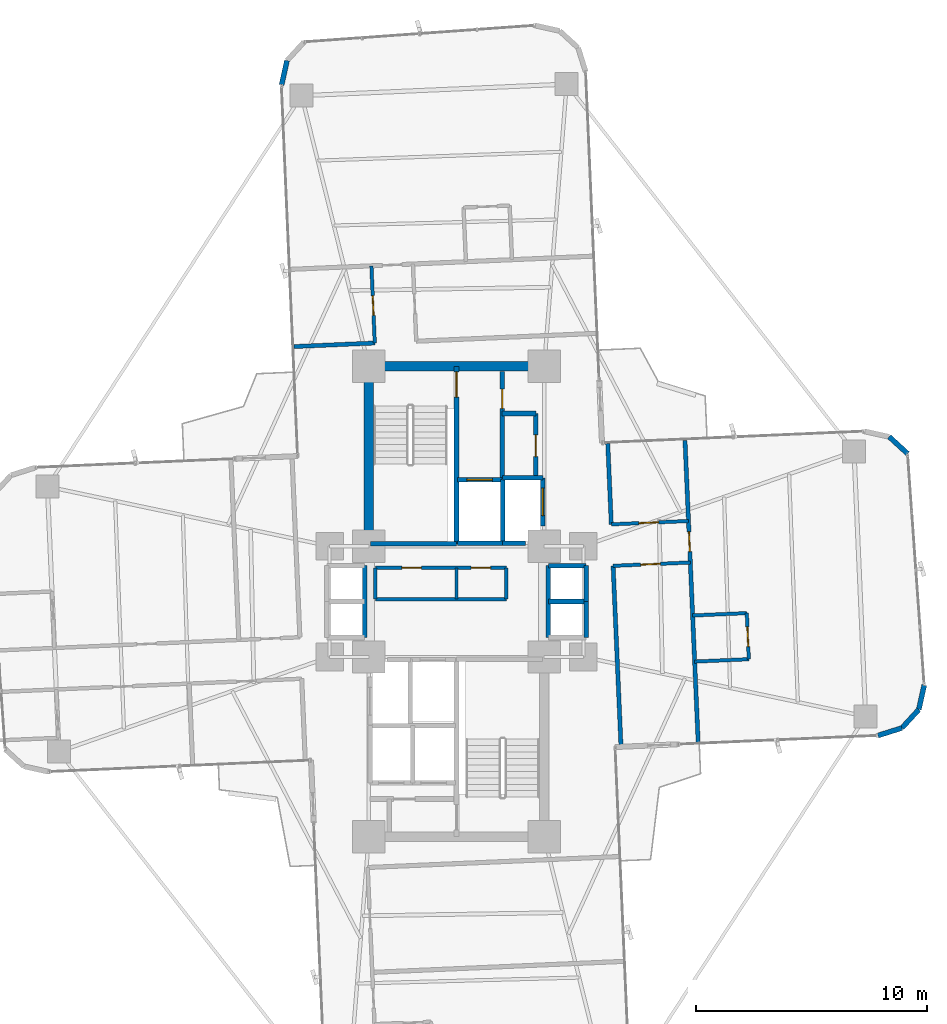
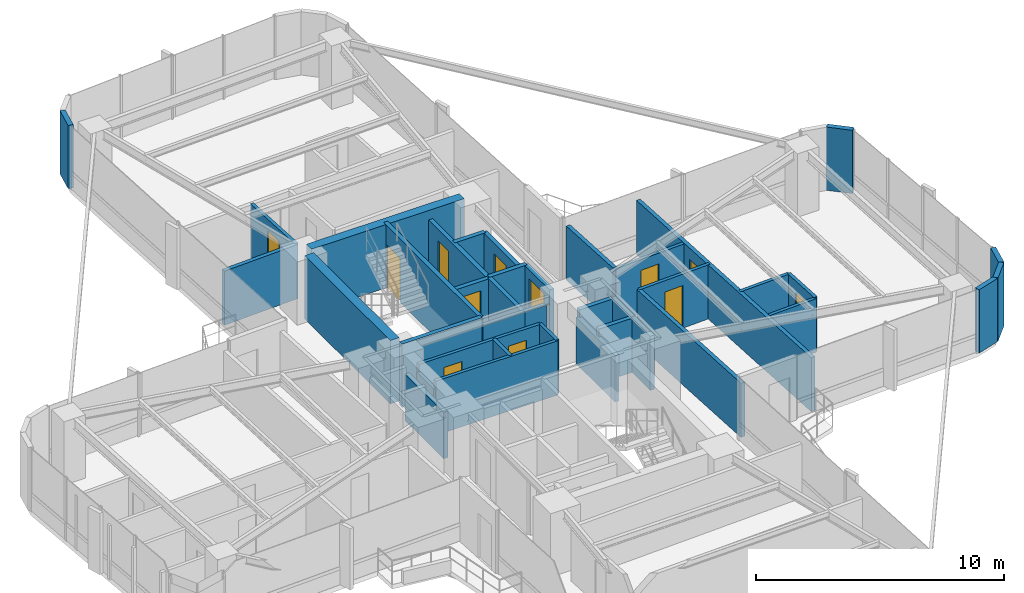
# One storey, part 24 of 26: 39 walls, 12 doors, 12 openings.
"""IFC4 building model written with IfcOpenShell, lengths in metres."""

from ifc_helpers import new_model, si_unit, direction, frame, frame_2d, origin, origin_2d, place, context, subcontext, project, spatial, rectangle, extrude, source, transform, mapped, material, layer, layer_set, type_object, element, fill, save


model = new_model("IFC4")

# Units and contexts
model_context = context("Model", 3, precision=1e-05, world=origin(), true_north=direction((0.0, 1.0)))
body_context = subcontext(model_context, "Body", "Model", "MODEL_VIEW")
ifc_project = project(units=[si_unit("LENGTHUNIT", "METRE"), si_unit("AREAUNIT", "SQUARE_METRE"), si_unit("VOLUMEUNIT", "CUBIC_METRE"), si_unit("PLANEANGLEUNIT", "RADIAN"), si_unit("MASSUNIT", "GRAM", prefix="KILO")], contexts=[model_context])

# Site, building, storey
site_placement = place(None, origin())
site = spatial("IfcSite", under=ifc_project, at=site_placement, CompositionType="ELEMENT")
building_placement = place(site_placement, origin())
building = spatial("IfcBuilding", under=site, at=building_placement, Name="Sahyath Konkavel Grand Hotel", CompositionType="ELEMENT")
storey_placement = place(building_placement, frame((0.0, 0.0, 111.449951171875)))
storey = spatial("IfcBuildingStorey", under=building, at=storey_placement, Name="L30", CompositionType="ELEMENT", Elevation=111.449951171875)

# Walls
ifc_material_1 = material(Name="Concrete C50/60", Category="concrete")
ifc_layer_1 = layer(ifc_material_1, 0.419921875)
ifc_layer_set_1 = layer_set([ifc_layer_1], Name="Concrete C50/60")
wall_type_1 = type_object("IfcWallType", Name="CWALL-420", PredefinedType="SHEAR", material=ifc_layer_set_1)
wall_1_placement = place(storey_placement, frame((-3.550048828125, 10.199951171875, 0.0), z_axis=(0.0, 0.0, 1.0), x_axis=(1.0, 0.0, 0.0)))
element("IfcWall", 1, at=wall_1_placement, inside=storey, type_object=wall_type_1, Name="L30 North Core Shear Wall N", PredefinedType="SHEAR", context=body_context, shape_type="SweptSolid", body=[
    extrude(rectangle(XDim=7.10009765625, YDim=0.419921875, at=frame_2d((3.550048828125, 0.0))), origin(), (0.0, 0.0, 1.0), 3.110107421875),
])
wall_2_placement = place(storey_placement, frame((-3.800048828125, 2.85009765625, 0.0), z_axis=(0.0, 0.0, 1.0), x_axis=(0.0, 1.0, 0.0)))
element("IfcWall", 2, at=wall_2_placement, inside=storey, type_object=wall_type_1, Name="L30 North Core Shear Wall W", PredefinedType="SHEAR", context=body_context, shape_type="SweptSolid", body=[
    extrude(rectangle(XDim=6.89990234375, YDim=0.419921875, at=frame_2d((3.449951171875, 0.0))), origin(), (0.0, 0.0, 1.0), 3.110107421875),
])
ifc_material_2 = material(Name="Warm Buff Sandstone Insulated Concrete C40/50", Category="masonry")
ifc_layer_2 = layer(ifc_material_2, 0.219970703125)
ifc_layer_set_2 = layer_set([ifc_layer_2], Name="Warm Buff Sandstone Insulated Concrete C40/50")
wall_type_2 = type_object("IfcWallType", Name="WLL-BALC-THRESH", PredefinedType="STANDARD", material=ifc_layer_set_2)
for number, where, z_axis, x_axis, name in (
    (3, (18.270751953125, -5.80859375, 0.0), (0.0, 0.0, 1.0), (0.953721713582, 0.30069069331, 0.0), "L30 Rounded Corner Sandstone Pier 1"),
    (4, (19.3076171875, -5.481689453125, 0.0), (0.0, 0.0, 1.0), (0.675551721847, 0.737312600672, 0.0), "L30 Rounded Corner Sandstone Pier 2"),
):
    element("IfcWall", number, at=place(storey_placement, frame(where, z_axis=z_axis, x_axis=x_axis)), inside=storey, type_object=wall_type_2, Name=name, PredefinedType="STANDARD", context=body_context, shape_type="SweptSolid", body=[
        extrude(rectangle(XDim=1.087158203125, YDim=0.219970703125, at=frame_2d((0.54345703125, 0.0))), origin(), (0.0, 0.0, 1.0), 3.110107421875),
    ])
for number, where, z_axis, x_axis, name in (
    (5, (20.0419921875, -4.68017578125, 0.0), (0.0, 0.0, 1.0), (0.216288323511, 0.976329535102, 0.0), "L30 Rounded Corner Sandstone Pier 3"),
    (6, (19.5576171875, 6.4091796875, 0.0), (0.0, 0.0, 1.0), (-0.737210081318, 0.675663596772, 0.0), "L30 Rounded Corner Sandstone Pier 5"),
):
    element("IfcWall", number, at=place(storey_placement, frame(where, z_axis=z_axis, x_axis=x_axis)), inside=storey, type_object=wall_type_2, Name=name, PredefinedType="STANDARD", context=body_context, shape_type="SweptSolid", body=[
        extrude(rectangle(XDim=1.0869140625, YDim=0.219970703125, at=frame_2d((0.54345703125, 0.0))), origin(), (0.0, 0.0, 1.0), 3.110107421875),
    ])
wall_3_placement = place(storey_placement, frame((-7.3486328125, 23.451904296875, 0.0), z_axis=(0.0, 0.0, 1.0), x_axis=(-0.216454939174, -0.976292609471, 0.0)))
element("IfcWall", 7, at=wall_3_placement, inside=storey, type_object=wall_type_2, Name="L30 Rounded Corner Sandstone Pier 14", PredefinedType="STANDARD", context=body_context, shape_type="SweptSolid", body=[
    extrude(rectangle(XDim=1.08740234375, YDim=0.219970703125, at=frame_2d((0.543701171875, 0.0))), origin(), (0.0, 0.0, 1.0), 3.110107421875),
])

# Wall, opening, door
ifc_material_3 = material(Name="Concrete C40/50", Category="concrete")
ifc_layer_3 = layer(ifc_material_3, 0.199951171875)
ifc_layer_set_3 = layer_set([ifc_layer_3], Name="Concrete C40/50")
wall_type_3 = type_object("IfcWallType", Name="WLL-CORE-200", PredefinedType="SOLIDWALL", material=ifc_layer_set_3)
wall_4_placement = place(storey_placement, frame((0.0, 2.5, 0.0), z_axis=(0.0, 0.0, 1.0), x_axis=(0.0, 1.0, 0.0)))
wall_4 = element("IfcWall", 8, at=wall_4_placement, inside=storey, type_object=wall_type_3, Name="L30 Stair ST-1 Shaft Wall E", PredefinedType="SOLIDWALL", context=body_context, shape_type="SweptSolid", body=[
    extrude(rectangle(XDim=7.679931640625, YDim=0.199951171875, at=frame_2d((3.83984375, 0.0))), origin(), (0.0, 0.0, 1.0), 3.110107421875),
])
opening_1_placement = place(wall_4_placement, frame((6.360107421875, 0.0, 0.0)))
opening_1 = element("IfcOpeningElement", 9, at=opening_1_placement, cuts=wall_4, Name="Opening D-F12B", PredefinedType="OPENING", context=body_context, shape_type="SweptSolid", body=[
    extrude(rectangle(XDim=1.10009765625, YDim=2.14990234375, at=frame_2d((0.550048828125, 1.074951171875))), frame((0.0, 0.10986328125, 0.0), z_axis=(0.0, -1.0, 0.0), x_axis=(1.0, 0.0, 0.0)), (0.0, 0.0, 1.0), 0.219970703125),
])
ifc_material_4 = material(Name="Steel E350 Smokeproof Fire Door", Category="steel")
door_type_1 = type_object("IfcDoorType", Name="DR-FD120-1100", OperationType="NOTDEFINED", PredefinedType="DOOR", material=ifc_material_4)
shared_shape_1 = source(origin(), body_context, "Body", "SweptSolid", [
    extrude(rectangle(XDim=1.10009765625, YDim=0.050048828125, at=origin_2d()), origin(), (0.0, 0.0, 1.0), 2.14990234375),
])
door_1_placement = place(opening_1_placement, frame((0.550048828125, 0.0, 0.0)))
door_1 = element("IfcDoor", 10, at=door_1_placement, inside=storey, type_object=door_type_1, Name="L30 Stair ST-1 Fire Door", OperationType="SINGLE_SWING_RIGHT", OverallHeight=2.14990234375, OverallWidth=1.10009765625, PredefinedType="DOOR", context=body_context, shape_type="MappedRepresentation", body=[
    mapped(shared_shape_1, transform((0.0, 0.0, 0.0), scale=1.0)),
])
fill(opening_1, door_1)

# Wall
wall_5_placement = place(storey_placement, frame((-3.719970703125, 2.5, 0.0), z_axis=(0.0, 0.0, 1.0), x_axis=(1.0, 0.0, 0.0)))
element("IfcWall", 11, at=wall_5_placement, inside=storey, type_object=wall_type_3, Name="L30 Stair ST-1 Shaft Wall S", PredefinedType="SOLIDWALL", context=body_context, shape_type="SweptSolid", body=[
    extrude(rectangle(XDim=3.719970703125, YDim=0.199951171875, at=frame_2d((1.85986328125, 0.0))), origin(), (0.0, 0.0, 1.0), 3.110107421875),
])

# Wall, opening, door
wall_6_placement = place(storey_placement, frame((1.97998046875, 5.320068359375, 0.0), z_axis=(0.0, 0.0, 1.0), x_axis=(0.0, 1.0, 0.0)))
wall_6 = element("IfcWall", 12, at=wall_6_placement, inside=storey, type_object=wall_type_3, Name="L30 North Firefighting Lobby Wall E", PredefinedType="SOLIDWALL", context=body_context, shape_type="SweptSolid", body=[
    extrude(rectangle(XDim=4.659912109375, YDim=0.199951171875, at=frame_2d((2.330078125, 0.0))), origin(), (0.0, 0.0, 1.0), 2.66015625),
])
opening_2_placement = place(wall_6_placement, frame((3.0400390625, 0.0, 0.0)))
opening_2 = element("IfcOpeningElement", 13, at=opening_2_placement, cuts=wall_6, Name="Opening D-F12D", PredefinedType="OPENING", context=body_context, shape_type="SweptSolid", body=[
    extrude(rectangle(XDim=0.85009765625, YDim=2.10009765625, at=frame_2d((0.425048828125, 1.050048828125))), frame((0.0, 0.10986328125, 0.0), z_axis=(0.0, -1.0, 0.0), x_axis=(1.0, 0.0, 0.0)), (0.0, 0.0, 1.0), 0.219970703125),
])
ifc_material_5 = material(Name="Steel E350 Core Fire Door", Category="steel")
door_type_2 = type_object("IfcDoorType", Name="DR-FD120-850", OperationType="NOTDEFINED", PredefinedType="DOOR", material=ifc_material_5)
shared_shape_2 = source(origin(), body_context, "Body", "SweptSolid", [
    extrude(rectangle(XDim=0.85009765625, YDim=0.050048828125, at=origin_2d()), origin(), (0.0, 0.0, 1.0), 2.10009765625),
])
door_2_placement = place(opening_2_placement, frame((0.425048828125, 0.0, 0.0)))
door_2 = element("IfcDoor", 14, at=door_2_placement, inside=storey, type_object=door_type_2, Name="L30 North Firefighting Lobby Door", OperationType="SINGLE_SWING_RIGHT", OverallHeight=2.10009765625, OverallWidth=0.85009765625, PredefinedType="DOOR", context=body_context, shape_type="MappedRepresentation", body=[
    mapped(shared_shape_2, transform((0.0, 0.0, 0.0), scale=1.0)),
])
fill(opening_2, door_2)

# Walls
wall_7_placement = place(storey_placement, frame((2.0, 2.5, 0.0), z_axis=(0.0, 0.0, 1.0), x_axis=(0.0, 1.0, 0.0)))
element("IfcWall", 15, at=wall_7_placement, inside=storey, type_object=wall_type_3, Name="L30 Partition SH-FFL1-E", PredefinedType="SOLIDWALL", context=body_context, shape_type="SweptSolid", body=[
    extrude(rectangle(XDim=2.780029296875, YDim=0.199951171875, at=frame_2d((1.39013671875, 0.0))), origin(), (0.0, 0.0, 1.0), 2.66015625),
])
wall_8_placement = place(storey_placement, frame((0.050048828125, 2.52001953125, 0.0), z_axis=(0.0, 0.0, 1.0), x_axis=(1.0, 0.0, 0.0)))
element("IfcWall", 16, at=wall_8_placement, inside=storey, type_object=wall_type_3, Name="L30 Partition SH-FFL1-S", PredefinedType="SOLIDWALL", context=body_context, shape_type="SweptSolid", body=[
    extrude(rectangle(XDim=1.949951171875, YDim=0.199951171875, at=frame_2d((0.97509765625, 0.0))), origin(), (0.0, 0.0, 1.0), 2.66015625),
])

# Wall, opening, door
wall_9_placement = place(storey_placement, frame((0.050048828125, 5.280029296875, 0.0), z_axis=(0.0, 0.0, 1.0), x_axis=(1.0, 0.0, 0.0)))
wall_9 = element("IfcWall", 17, at=wall_9_placement, inside=storey, type_object=wall_type_3, Name="L30 Partition SH-FFL1-N", PredefinedType="SOLIDWALL", context=body_context, shape_type="SweptSolid", body=[
    extrude(rectangle(XDim=1.929931640625, YDim=0.199951171875, at=frame_2d((0.96484375, 0.0))), origin(), (0.0, 0.0, 1.0), 2.66015625),
])
opening_3_placement = place(wall_9_placement, frame((0.39990234375, 0.0, 0.0)))
opening_3 = element("IfcOpeningElement", 18, at=opening_3_placement, cuts=wall_9, Name="Opening LD-11", PredefinedType="OPENING", context=body_context, shape_type="SweptSolid", body=[
    extrude(rectangle(XDim=1.10009765625, YDim=2.199951171875, at=frame_2d((0.550048828125, 1.10009765625))), frame((0.0, 0.10986328125, 0.0), z_axis=(0.0, -1.0, 0.0), x_axis=(1.0, 0.0, 0.0)), (0.0, 0.0, 1.0), 0.219970703125),
])
ifc_material_6 = material(Name="Bronze Lift Landing Door 1100")
door_type_3 = type_object("IfcDoorType", Name="DR-LIFT-1100", OperationType="DOUBLE_DOOR_SLIDING", PredefinedType="DOOR", material=ifc_material_6)
shared_shape_3 = source(origin(), body_context, "Body", "SweptSolid", [
    extrude(rectangle(XDim=1.10009765625, YDim=0.050048828125, at=origin_2d()), origin(), (0.0, 0.0, 1.0), 2.199951171875),
])
door_3_placement = place(opening_3_placement, frame((0.550048828125, 0.0, 0.0)))
door_3 = element("IfcDoor", 19, at=door_3_placement, inside=storey, type_object=door_type_3, Name="L30 Lift FFL-1 Landing Door", OperationType="DOUBLE_DOOR_SLIDING", OverallHeight=2.199951171875, OverallWidth=1.10009765625, PredefinedType="DOOR", context=body_context, shape_type="MappedRepresentation", body=[
    mapped(shared_shape_3, transform((0.0, 0.0, 0.0), scale=1.0)),
])
fill(opening_3, door_3)

# Walls
wall_10_placement = place(storey_placement, frame((2.0, 2.52001953125, 0.0), z_axis=(0.0, 0.0, 1.0), x_axis=(1.0, 0.0, 0.0)))
element("IfcWall", 20, at=wall_10_placement, inside=storey, type_object=wall_type_3, Name="L30 Partition SH-SVL1-S", PredefinedType="SOLIDWALL", context=body_context, shape_type="SweptSolid", body=[
    extrude(rectangle(XDim=1.0, YDim=0.199951171875, at=frame_2d((0.5, 0.0))), origin(), (0.0, 0.0, 1.0), 2.66015625),
])
wall_11_placement = place(storey_placement, frame((2.0, 5.360107421875, 0.0), z_axis=(0.0, 0.0, 1.0), x_axis=(1.0, 0.0, 0.0)))
element("IfcWall", 21, at=wall_11_placement, inside=storey, type_object=wall_type_3, Name="L30 Partition SH-SVL1-N", PredefinedType="SOLIDWALL", context=body_context, shape_type="SweptSolid", body=[
    extrude(rectangle(XDim=1.739990234375, YDim=0.199951171875, at=frame_2d((0.8701171875, 0.0))), origin(), (0.0, 0.0, 1.0), 2.66015625),
])

# Wall, opening, door
wall_12_placement = place(storey_placement, frame((3.739990234375, 3.280029296875, 0.0), z_axis=(0.0, 0.0, 1.0), x_axis=(0.0, 1.0, 0.0)))
wall_12 = element("IfcWall", 22, at=wall_12_placement, inside=storey, type_object=wall_type_3, Name="L30 Partition SH-SVL1-E", PredefinedType="SOLIDWALL", context=body_context, shape_type="SweptSolid", body=[
    extrude(rectangle(XDim=2.080078125, YDim=0.199951171875, at=frame_2d((1.0400390625, 0.0))), origin(), (0.0, 0.0, 1.0), 2.66015625),
])
opening_4_placement = place(wall_12_placement, frame((0.43994140625, 0.0, 0.0)))
opening_4 = element("IfcOpeningElement", 23, at=opening_4_placement, cuts=wall_12, Name="Opening LD-12", PredefinedType="OPENING", context=body_context, shape_type="SweptSolid", body=[
    extrude(rectangle(XDim=1.199951171875, YDim=2.199951171875, at=frame_2d((0.60009765625, 1.10009765625))), frame((0.0, 0.10986328125, 0.0), z_axis=(0.0, -1.0, 0.0), x_axis=(1.0, 0.0, 0.0)), (0.0, 0.0, 1.0), 0.219970703125),
])
ifc_material_7 = material(Name="Stainless Steel Lift Landing Door 1200", Category="steel")
door_type_4 = type_object("IfcDoorType", Name="DR-LIFT-1200", OperationType="DOUBLE_DOOR_SLIDING", PredefinedType="DOOR", material=ifc_material_7)
shared_shape_4 = source(origin(), body_context, "Body", "SweptSolid", [
    extrude(rectangle(XDim=1.199951171875, YDim=0.050048828125, at=origin_2d()), origin(), (0.0, 0.0, 1.0), 2.199951171875),
])
door_4_placement = place(opening_4_placement, frame((0.60009765625, 0.0, 0.0)))
door_4 = element("IfcDoor", 24, at=door_4_placement, inside=storey, type_object=door_type_4, Name="L30 Service Lift SVL-1 Landing Door", OperationType="DOUBLE_DOOR_SLIDING", OverallHeight=2.199951171875, OverallWidth=1.199951171875, PredefinedType="DOOR", context=body_context, shape_type="MappedRepresentation", body=[
    mapped(shared_shape_4, transform((0.0, 0.0, 0.0), scale=1.0)),
])
fill(opening_4, door_4)

# Walls
wall_13_placement = place(storey_placement, frame((3.97998046875, -1.56005859375, 0.0), z_axis=(0.0, 0.0, 1.0), x_axis=(0.0, 1.0, 0.0)))
element("IfcWall", 25, at=wall_13_placement, inside=storey, type_object=wall_type_3, Name="L30 Partition SH-PL56-W", PredefinedType="SOLIDWALL", context=body_context, shape_type="SweptSolid", body=[
    extrude(rectangle(XDim=3.1201171875, YDim=0.199951171875, at=frame_2d((1.56005859375, 0.0))), origin(), (0.0, 0.0, 1.0), 2.280029296875),
])
for number, where, z_axis, x_axis, name in (
    (26, (3.97998046875, 1.56005859375, 0.0), (0.0, 0.0, 1.0), (1.0, 0.0, 0.0), "L30 Partition SH-PL56-N"),
    (27, (3.97998046875, 0.0, 0.0), (0.0, 0.0, 1.0), (1.0, 0.0, 0.0), "L30 Partition SH-PL56-M"),
):
    element("IfcWall", number, at=place(storey_placement, frame(where, z_axis=z_axis, x_axis=x_axis)), inside=storey, type_object=wall_type_3, Name=name, PredefinedType="SOLIDWALL", context=body_context, shape_type="SweptSolid", body=[
        extrude(rectangle(XDim=1.64013671875, YDim=0.199951171875, at=frame_2d((0.820068359375, 0.0))), origin(), (0.0, 0.0, 1.0), 2.66015625),
    ])
for number, where, z_axis, x_axis, name in (
    (28, (5.6201171875, 0.0, 0.0), (0.0, 0.0, 1.0), (0.0, 1.0, 0.0), "L30 Partition SH-PL5-E"),
    (29, (5.6201171875, -1.56005859375, 0.0), (0.0, 0.0, 1.0), (0.0, 1.0, 0.0), "L30 Partition SH-PL6-E"),
):
    element("IfcWall", number, at=place(storey_placement, frame(where, z_axis=z_axis, x_axis=x_axis)), inside=storey, type_object=wall_type_3, Name=name, PredefinedType="SOLIDWALL", context=body_context, shape_type="SweptSolid", body=[
        extrude(rectangle(XDim=1.56005859375, YDim=0.199951171875, at=frame_2d((0.780029296875, 0.0))), origin(), (0.0, 0.0, 1.0), 2.66015625),
    ])
wall_14_placement = place(storey_placement, frame((-3.97998046875, -1.56005859375, 0.0), z_axis=(0.0, 0.0, 1.0), x_axis=(0.0, 1.0, 0.0)))
element("IfcWall", 30, at=wall_14_placement, inside=storey, type_object=wall_type_3, Name="L30 Partition SH-SL12-E", PredefinedType="SOLIDWALL", context=body_context, shape_type="SweptSolid", body=[
    extrude(rectangle(XDim=3.1201171875, YDim=0.199951171875, at=frame_2d((1.56005859375, 0.0))), origin(), (0.0, 0.0, 1.0), 2.280029296875),
])

# Wall, opening, door
wall_15_placement = place(storey_placement, frame((3.43994140625, 5.3798828125, 0.0), z_axis=(0.0, 0.0, 1.0), x_axis=(0.0, 1.0, 0.0)))
wall_15 = element("IfcWall", 31, at=wall_15_placement, inside=storey, type_object=wall_type_3, Name="L30 Reclaimed North Core Wall E", PredefinedType="SOLIDWALL", context=body_context, shape_type="SweptSolid", body=[
    extrude(rectangle(XDim=2.77001953125, YDim=0.199951171875, at=frame_2d((1.385009765625, 0.0))), origin(), (0.0, 0.0, 1.0), 2.66015625),
])
opening_5_placement = place(wall_15_placement, frame((0.89990234375, 0.0, 0.0)))
opening_5 = element("IfcOpeningElement", 32, at=opening_5_placement, cuts=wall_15, Name="Opening D-F06B", PredefinedType="OPENING", context=body_context, shape_type="SweptSolid", body=[
    extrude(rectangle(XDim=0.949951171875, YDim=2.14990234375, at=frame_2d((0.47509765625, 1.074951171875))), frame((0.0, 0.10986328125, 0.0), z_axis=(0.0, -1.0, 0.0), x_axis=(1.0, 0.0, 0.0)), (0.0, 0.0, 1.0), 0.219970703125),
])
ifc_material_8 = material(Name="Teak Veneer Fire-Rated Guest Entrance Door")
door_type_5 = type_object("IfcDoorType", Name="DR-FD60-950", OperationType="NOTDEFINED", PredefinedType="DOOR", material=ifc_material_8)
shared_shape_5 = source(origin(), body_context, "Body", "SweptSolid", [
    extrude(rectangle(XDim=0.949951171875, YDim=0.050048828125, at=origin_2d()), origin(), (0.0, 0.0, 1.0), 2.14990234375),
])
door_5_placement = place(opening_5_placement, frame((0.47509765625, 0.0, 0.0)))
door_5 = element("IfcDoor", 33, at=door_5_placement, inside=storey, type_object=door_type_5, Name="L30 Door NC-REC1-D", OperationType="SINGLE_SWING_LEFT", OverallHeight=2.14990234375, OverallWidth=0.949951171875, PredefinedType="DOOR", context=body_context, shape_type="MappedRepresentation", body=[
    mapped(shared_shape_5, transform((0.0, 0.0, 0.0), scale=1.0)),
])
fill(opening_5, door_5)

# Walls
wall_16_placement = place(storey_placement, frame((1.97998046875, 8.14990234375, 0.0), z_axis=(0.0, 0.0, 1.0), x_axis=(1.0, 0.0, 0.0)))
element("IfcWall", 34, at=wall_16_placement, inside=storey, type_object=wall_type_3, Name="L30 Partition NC-REC-N", PredefinedType="SOLIDWALL", context=body_context, shape_type="SweptSolid", body=[
    extrude(rectangle(XDim=1.4599609375, YDim=0.199951171875, at=frame_2d((0.72998046875, 0.0))), origin(), (0.0, 0.0, 1.0), 2.66015625),
])
ifc_material_9 = material(Name="Twin-Stud Acoustic Gypsum Plasterboard Partition")
ifc_layer_4 = layer(ifc_material_9, 0.179931640625)
ifc_layer_set_4 = layer_set([ifc_layer_4], Name="Twin-Stud Acoustic Gypsum Plasterboard Partition")
wall_type_4 = type_object("IfcWallType", Name="WLL-DEMISE-180", PredefinedType="PARTITIONING", material=ifc_layer_set_4)
wall_17_placement = place(storey_placement, frame((6.71044921875, 3.345947265625, 0.0), z_axis=(0.0, 0.0, 1.0), x_axis=(-0.043597663116, 0.999049169846, 0.0)))
element("IfcWall", 35, at=wall_17_placement, inside=storey, type_object=wall_type_4, Name="L30 Partition E-INL", PredefinedType="PARTITIONING", context=body_context, shape_type="SweptSolid", body=[
    extrude(rectangle(XDim=3.5, YDim=0.179931640625, at=frame_2d((1.75, 0.0))), origin(), (0.0, 0.0, 1.0), 2.66015625),
])
wall_18_placement = place(storey_placement, frame((7.129150390625, -6.2451171875, 0.0), z_axis=(0.0, 0.0, 1.0), x_axis=(-0.043600217373, 0.999049058378, 0.0)))
element("IfcWall", 36, at=wall_18_placement, inside=storey, type_object=wall_type_4, Name="L30 Partition E-INR", PredefinedType="PARTITIONING", context=body_context, shape_type="SweptSolid", body=[
    extrude(rectangle(XDim=7.800048828125, YDim=0.179931640625, at=frame_2d((3.89990234375, 0.0))), origin(), (0.0, 0.0, 1.0), 2.66015625),
])

# Wall, opening, door
wall_19_placement = place(storey_placement, frame((10.47607421875, -6.098876953125, 0.0), z_axis=(0.0, 0.0, 1.0), x_axis=(-0.043628089563, 0.999047841598, 0.0)))
wall_19 = element("IfcWall", 37, at=wall_19_placement, inside=storey, type_object=wall_type_4, Name="L30 Partition E-ETIP-END", PredefinedType="PARTITIONING", context=body_context, shape_type="SweptSolid", body=[
    extrude(rectangle(XDim=13.10009765625, YDim=0.179931640625, at=frame_2d((6.550048828125, 0.0))), origin(), (0.0, 0.0, 1.0), 2.66015625),
])
opening_6_placement = place(wall_19_placement, frame((8.27490234375, 0.0, 0.0)))
opening_6 = element("IfcOpeningElement", 38, at=opening_6_placement, cuts=wall_19, Name="Opening D-F06D", PredefinedType="OPENING", context=body_context, shape_type="SweptSolid", body=[
    extrude(rectangle(XDim=0.85009765625, YDim=2.10009765625, at=frame_2d((0.425048828125, 1.050048828125))), frame((0.0, 0.10009765625, 0.0), z_axis=(0.0, -1.0, 0.0), x_axis=(1.0, 0.0, 0.0)), (0.0, 0.0, 1.0), 0.199951171875),
])
ifc_material_10 = material(Name="Fire-Rated Shaft Access Door")
door_type_6 = type_object("IfcDoorType", Name="DR-FD60-850", OperationType="NOTDEFINED", PredefinedType="DOOR", material=ifc_material_10)
door_6_placement = place(opening_6_placement, frame((0.425048828125, 0.0, 0.0)))
door_6 = element("IfcDoor", 39, at=door_6_placement, inside=storey, type_object=door_type_6, Name="L30 Door E-ETIP-ED", OperationType="SINGLE_SWING_LEFT", OverallHeight=2.10009765625, OverallWidth=0.85009765625, PredefinedType="DOOR", context=body_context, shape_type="MappedRepresentation", body=[
    mapped(shared_shape_2, transform((0.0, 0.0, 0.0), scale=1.0)),
])
fill(opening_6, door_6)

# Walls
wall_20_placement = place(storey_placement, frame((-3.542236328125, 11.206298828125, 0.0), z_axis=(0.0, 0.0, 1.0), x_axis=(-0.999046129111, -0.04366728647, 0.0)))
element("IfcWall", 40, at=wall_20_placement, inside=storey, type_object=wall_type_4, Name="L30 Partition N-INL", PredefinedType="PARTITIONING", context=body_context, shape_type="SweptSolid", body=[
    extrude(rectangle(XDim=3.5, YDim=0.179931640625, at=frame_2d((1.75, 0.0))), origin(), (0.0, 0.0, 1.0), 2.66015625),
])
ifc_material_11 = material(Name="Fire-Rated Gypsum Plasterboard Partition")
ifc_layer_5 = layer(ifc_material_11, 0.14990234375)
ifc_layer_set_5 = layer_set([ifc_layer_5], Name="Fire-Rated Gypsum Plasterboard Partition")
wall_type_5 = type_object("IfcWallType", Name="WLL-PART-150", PredefinedType="PARTITIONING", material=ifc_layer_set_5)
wall_21_placement = place(storey_placement, frame((-3.52001953125, 0.10009765625, 0.0), z_axis=(0.0, 0.0, 1.0), x_axis=(1.0, 0.0, 0.0)))
element("IfcWall", 41, at=wall_21_placement, inside=storey, type_object=wall_type_5, Name="L30 Partition CC-S0-FIX", PredefinedType="PARTITIONING", context=body_context, shape_type="SweptSolid", body=[
    extrude(rectangle(XDim=5.679931640625, YDim=0.14990234375, at=frame_2d((2.83984375, 0.0))), origin(), (0.0, 0.0, 1.0), 2.66015625),
])

# Wall, openings, doors
wall_22_placement = place(storey_placement, frame((-3.52001953125, 1.4599609375, 0.0), z_axis=(0.0, 0.0, 1.0), x_axis=(1.0, 0.0, 0.0)))
wall_22 = element("IfcWall", 42, at=wall_22_placement, inside=storey, type_object=wall_type_5, Name="L30 Partition CC-N0", PredefinedType="PARTITIONING", context=body_context, shape_type="SweptSolid", body=[
    extrude(rectangle(XDim=5.679931640625, YDim=0.14990234375, at=frame_2d((2.83984375, 0.0))), origin(), (0.0, 0.0, 1.0), 2.66015625),
])
opening_7_placement = place(wall_22_placement, frame((1.14990234375, 0.0, 0.0)))
opening_7 = element("IfcOpeningElement", 43, at=opening_7_placement, cuts=wall_22, Name="Opening D-F06D", PredefinedType="OPENING", context=body_context, shape_type="SweptSolid", body=[
    extrude(rectangle(XDim=0.85009765625, YDim=2.10009765625, at=frame_2d((0.425048828125, 1.050048828125))), frame((0.0, 0.0849609375, 0.0), z_axis=(0.0, -1.0, 0.0), x_axis=(1.0, 0.0, 0.0)), (0.0, 0.0, 1.0), 0.169921875),
])
opening_8_placement = place(wall_22_placement, frame((4.14990234375, 0.0, 0.0)))
opening_8 = element("IfcOpeningElement", 44, at=opening_8_placement, cuts=wall_22, Name="Opening D-F06D", PredefinedType="OPENING", context=body_context, shape_type="SweptSolid", body=[
    extrude(rectangle(XDim=0.85009765625, YDim=2.10009765625, at=frame_2d((0.425048828125, 1.050048828125))), frame((0.0, 0.0849609375, 0.0), z_axis=(0.0, -1.0, 0.0), x_axis=(1.0, 0.0, 0.0)), (0.0, 0.0, 1.0), 0.169921875),
])
door_7_placement = place(opening_7_placement, frame((0.425048828125, 0.0, 0.0)))
door_7 = element("IfcDoor", 45, at=door_7_placement, inside=storey, type_object=door_type_6, Name="L30 Door CC-D0A", OperationType="SINGLE_SWING_RIGHT", OverallHeight=2.10009765625, OverallWidth=0.85009765625, PredefinedType="DOOR", context=body_context, shape_type="MappedRepresentation", body=[
    mapped(shared_shape_2, transform((0.0, 0.0, 0.0), scale=1.0)),
])
fill(opening_7, door_7)
door_8_placement = place(opening_8_placement, frame((0.425048828125, 0.0, 0.0)))
door_8 = element("IfcDoor", 46, at=door_8_placement, inside=storey, type_object=door_type_6, Name="L30 Door CC-D0B", OperationType="SINGLE_SWING_LEFT", OverallHeight=2.10009765625, OverallWidth=0.85009765625, PredefinedType="DOOR", context=body_context, shape_type="MappedRepresentation", body=[
    mapped(shared_shape_2, transform((0.0, 0.0, 0.0), scale=1.0)),
])
fill(opening_8, door_8)

# Walls
wall_23_placement = place(storey_placement, frame((-3.52001953125, 0.10009765625, 0.0), z_axis=(0.0, 0.0, 1.0), x_axis=(0.0, 1.0, 0.0)))
element("IfcWall", 47, at=wall_23_placement, inside=storey, type_object=wall_type_5, Name="L30 Partition CC-W0", PredefinedType="PARTITIONING", context=body_context, shape_type="SweptSolid", body=[
    extrude(rectangle(XDim=1.35986328125, YDim=0.14990234375, at=frame_2d((0.679931640625, 0.0))), origin(), (0.0, 0.0, 1.0), 2.280029296875),
])
for number, where, z_axis, x_axis, name in (
    (48, (2.159912109375, 0.10009765625, 0.0), (0.0, 0.0, 1.0), (0.0, 1.0, 0.0), "L30 Partition CC-E0"),
    (49, (0.0, 0.10009765625, 0.0), (0.0, 0.0, 1.0), (0.0, 1.0, 0.0), "L30 Partition CC-M0"),
):
    element("IfcWall", number, at=place(storey_placement, frame(where, z_axis=z_axis, x_axis=x_axis)), inside=storey, type_object=wall_type_5, Name=name, PredefinedType="PARTITIONING", context=body_context, shape_type="SweptSolid", body=[
        extrude(rectangle(XDim=1.35986328125, YDim=0.14990234375, at=frame_2d((0.679931640625, 0.0))), origin(), (0.0, 0.0, 1.0), 2.66015625),
    ])

# Wall, opening, door
wall_24_placement = place(storey_placement, frame((6.71044921875, 3.345947265625, 0.0), z_axis=(0.0, 0.0, 1.0), x_axis=(0.999049960678, 0.043579537274, 0.0)))
wall_24 = element("IfcWall", 50, at=wall_24_placement, inside=storey, type_object=wall_type_5, Name="L30 Partition E-CL", PredefinedType="PARTITIONING", context=body_context, shape_type="SweptSolid", body=[
    extrude(rectangle(XDim=3.35009765625, YDim=0.14990234375, at=frame_2d((1.675048828125, 0.0))), origin(), (0.0, 0.0, 1.0), 2.630126953125),
])
opening_9_placement = place(wall_24_placement, frame((1.199951171875, 0.0, 0.0)))
opening_9 = element("IfcOpeningElement", 51, at=opening_9_placement, cuts=wall_24, Name="Opening D-F06D", PredefinedType="OPENING", context=body_context, shape_type="SweptSolid", body=[
    extrude(rectangle(XDim=0.85009765625, YDim=2.10009765625, at=frame_2d((0.425048828125, 1.050048828125))), frame((0.0, 0.0849609375, 0.0), z_axis=(0.0, -1.0, 0.0), x_axis=(1.0, 0.0, 0.0)), (0.0, 0.0, 1.0), 0.169921875),
])
door_9_placement = place(opening_9_placement, frame((0.425048828125, 0.0, 0.0)))
door_9 = element("IfcDoor", 52, at=door_9_placement, inside=storey, type_object=door_type_6, Name="L30 Door E-ES3L-D", OperationType="SINGLE_SWING_RIGHT", OverallHeight=2.10009765625, OverallWidth=0.85009765625, PredefinedType="DOOR", context=body_context, shape_type="MappedRepresentation", body=[
    mapped(shared_shape_2, transform((0.0, 0.0, 0.0), scale=1.0)),
])
fill(opening_9, door_9)

wall_25_placement = place(storey_placement, frame((6.7890625, 1.547607421875, 0.0), z_axis=(0.0, 0.0, 1.0), x_axis=(0.99904982226, 0.043582710367, 0.0)))
wall_25 = element("IfcWall", 53, at=wall_25_placement, inside=storey, type_object=wall_type_5, Name="L30 Partition E-CR", PredefinedType="PARTITIONING", context=body_context, shape_type="SweptSolid", body=[
    extrude(rectangle(XDim=3.349853515625, YDim=0.14990234375, at=frame_2d((1.6748046875, 0.0))), origin(), (0.0, 0.0, 1.0), 2.66015625),
])
opening_10_placement = place(wall_25_placement, frame((1.199951171875, 0.0, 0.0)))
opening_10 = element("IfcOpeningElement", 54, at=opening_10_placement, cuts=wall_25, Name="Opening D-F06D", PredefinedType="OPENING", context=body_context, shape_type="SweptSolid", body=[
    extrude(rectangle(XDim=0.85009765625, YDim=2.10009765625, at=frame_2d((0.425048828125, 1.050048828125))), frame((0.0, 0.0849609375, 0.0), z_axis=(0.0, -1.0, 0.0), x_axis=(1.0, 0.0, 0.0)), (0.0, 0.0, 1.0), 0.169921875),
])
door_10_placement = place(opening_10_placement, frame((0.425048828125, 0.0, 0.0)))
door_10 = element("IfcDoor", 55, at=door_10_placement, inside=storey, type_object=door_type_6, Name="L30 Door E-ES3R-D", OperationType="SINGLE_SWING_LEFT", OverallHeight=2.10009765625, OverallWidth=0.85009765625, PredefinedType="DOOR", context=body_context, shape_type="MappedRepresentation", body=[
    mapped(shared_shape_2, transform((0.0, 0.0, 0.0), scale=1.0)),
])
fill(opening_10, door_10)

# Walls
wall_26_placement = place(storey_placement, frame((10.236083984375, -0.60400390625, 0.0), z_axis=(0.0, 0.0, 1.0), x_axis=(0.999052234136, 0.043527387554, 0.0)))
element("IfcWall", 56, at=wall_26_placement, inside=storey, type_object=wall_type_5, Name="L30 Partition E-ETIP-BN", PredefinedType="PARTITIONING", context=body_context, shape_type="SweptSolid", body=[
    extrude(rectangle(XDim=2.35009765625, YDim=0.14990234375, at=frame_2d((1.175048828125, 0.0))), origin(), (0.0, 0.0, 1.0), 2.66015625),
])
wall_27_placement = place(storey_placement, frame((10.3232421875, -2.602294921875, 0.0), z_axis=(0.0, 0.0, 1.0), x_axis=(0.999047711264, 0.043631074008, 0.0)))
element("IfcWall", 57, at=wall_27_placement, inside=storey, type_object=wall_type_5, Name="L30 Partition E-ETIP-BS", PredefinedType="PARTITIONING", context=body_context, shape_type="SweptSolid", body=[
    extrude(rectangle(XDim=2.35009765625, YDim=0.14990234375, at=frame_2d((1.175048828125, 0.0))), origin(), (0.0, 0.0, 1.0), 2.630126953125),
])

# Wall, opening, door
wall_28_placement = place(storey_placement, frame((12.671142578125, -2.499755859375, 0.0), z_axis=(0.0, 0.0, 1.0), x_axis=(-0.043580257179, 0.999049929275, 0.0)))
wall_28 = element("IfcWall", 58, at=wall_28_placement, inside=storey, type_object=wall_type_5, Name="L30 Partition E-ETIP-BE", PredefinedType="PARTITIONING", context=body_context, shape_type="SweptSolid", body=[
    extrude(rectangle(XDim=2.0, YDim=0.14990234375, at=frame_2d((1.0, 0.0))), origin(), (0.0, 0.0, 1.0), 2.66015625),
])
opening_11_placement = place(wall_28_placement, frame((0.550048828125, 0.0, 0.0)))
opening_11 = element("IfcOpeningElement", 59, at=opening_11_placement, cuts=wall_28, Name="Opening D-BT85", PredefinedType="OPENING", context=body_context, shape_type="SweptSolid", body=[
    extrude(rectangle(XDim=0.85009765625, YDim=2.10009765625, at=frame_2d((0.425048828125, 1.050048828125))), frame((0.0, 0.0849609375, 0.0), z_axis=(0.0, -1.0, 0.0), x_axis=(1.0, 0.0, 0.0)), (0.0, 0.0, 1.0), 0.169921875),
])
ifc_material_12 = material(Name="Moisture-Resistant Teak Bathroom Door")
door_type_7 = type_object("IfcDoorType", Name="DR-BATH-850", OperationType="NOTDEFINED", PredefinedType="DOOR", material=ifc_material_12)
door_11_placement = place(opening_11_placement, frame((0.425048828125, 0.0, 0.0)))
door_11 = element("IfcDoor", 60, at=door_11_placement, inside=storey, type_object=door_type_7, Name="L30 Door E-ETIP-BD", OperationType="SINGLE_SWING_RIGHT", OverallHeight=2.10009765625, OverallWidth=0.85009765625, PredefinedType="DOOR", context=body_context, shape_type="MappedRepresentation", body=[
    mapped(shared_shape_2, transform((0.0, 0.0, 0.0), scale=1.0)),
])
fill(opening_11, door_11)

wall_29_placement = place(storey_placement, frame((-3.542236328125, 11.206298828125, 0.0), z_axis=(0.0, 0.0, 1.0), x_axis=(-0.043582710367, 0.99904982226, 0.0)))
wall_29 = element("IfcWall", 61, at=wall_29_placement, inside=storey, type_object=wall_type_5, Name="L30 Partition N-CL", PredefinedType="PARTITIONING", context=body_context, shape_type="SweptSolid", body=[
    extrude(rectangle(XDim=3.349853515625, YDim=0.14990234375, at=frame_2d((1.6748046875, 0.0))), origin(), (0.0, 0.0, 1.0), 2.66015625),
])
opening_12_placement = place(wall_29_placement, frame((1.199951171875, 0.0, 0.0)))
opening_12 = element("IfcOpeningElement", 62, at=opening_12_placement, cuts=wall_29, Name="Opening D-F06D", PredefinedType="OPENING", context=body_context, shape_type="SweptSolid", body=[
    extrude(rectangle(XDim=0.85009765625, YDim=2.10009765625, at=frame_2d((0.425048828125, 1.050048828125))), frame((0.0, 0.0849609375, 0.0), z_axis=(0.0, -1.0, 0.0), x_axis=(1.0, 0.0, 0.0)), (0.0, 0.0, 1.0), 0.169921875),
])
door_12_placement = place(opening_12_placement, frame((0.425048828125, 0.0, 0.0)))
door_12 = element("IfcDoor", 63, at=door_12_placement, inside=storey, type_object=door_type_6, Name="L30 Door N-NS3L-D", OperationType="SINGLE_SWING_RIGHT", OverallHeight=2.10009765625, OverallWidth=0.85009765625, PredefinedType="DOOR", context=body_context, shape_type="MappedRepresentation", body=[
    mapped(shared_shape_2, transform((0.0, 0.0, 0.0), scale=1.0)),
])
fill(opening_12, door_12)

save(model, "model.ifc")
